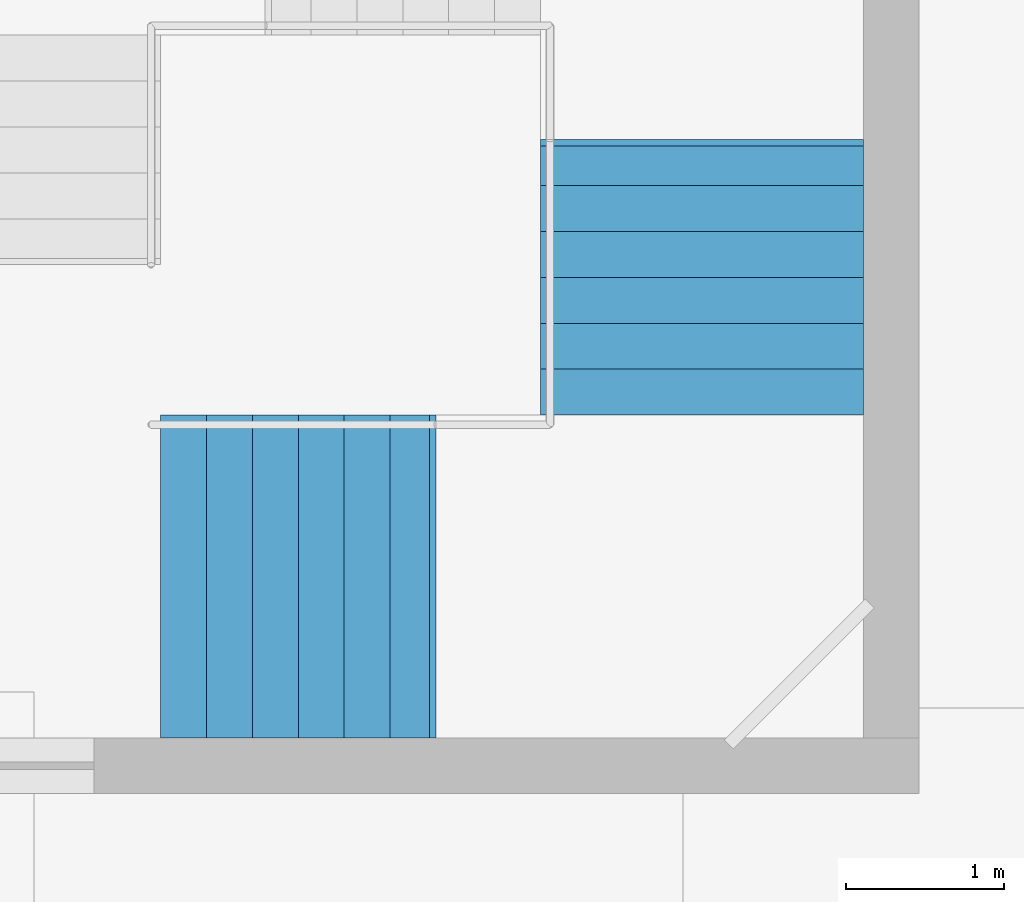
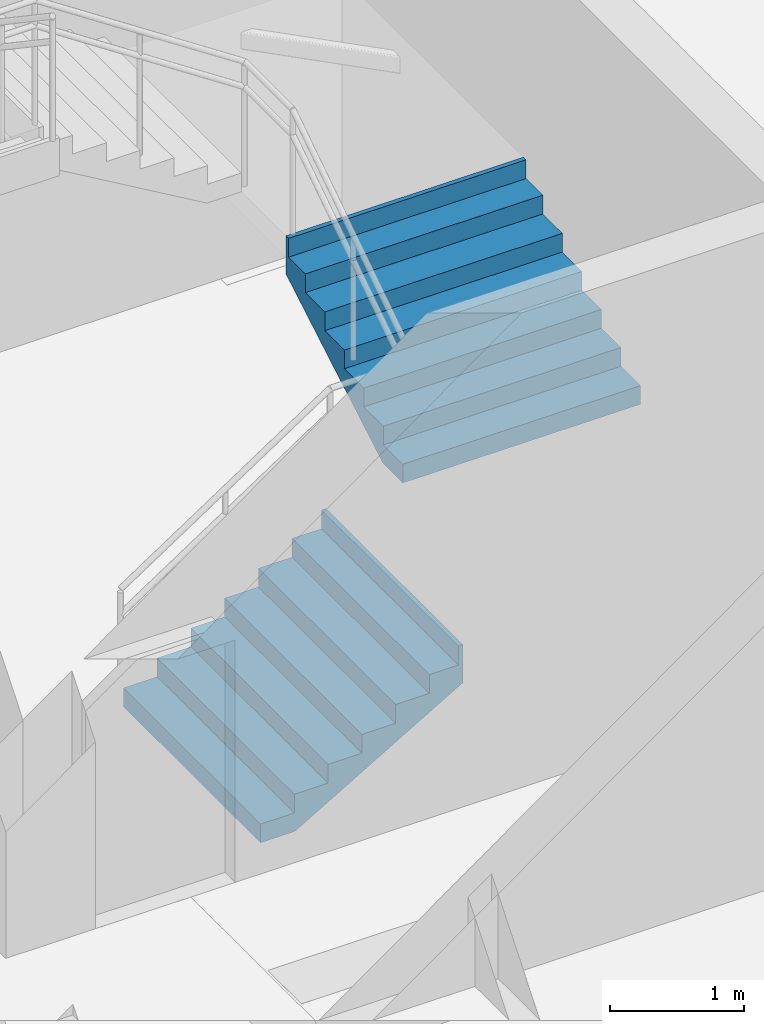
# One storey, part 25 of 30: 2 stair flights, 1 element without a shape of its own.
"""IFC4 building model written with IfcOpenShell, lengths in metres."""

from ifc_helpers import new_model, si_unit, direction, frame, origin, place, context, subcontext, project, spatial, triangles, material, type_object, element, aggregate, save


model = new_model("IFC4")

# Units and contexts
model_context = context("Model", 3, precision=1e-05, world=origin(), true_north=direction((0.0, 1.0)))
body_context = subcontext(model_context, "Body", "Model", "MODEL_VIEW")
ifc_project = project(units=[si_unit("LENGTHUNIT", "METRE"), si_unit("AREAUNIT", "SQUARE_METRE"), si_unit("VOLUMEUNIT", "CUBIC_METRE"), si_unit("PLANEANGLEUNIT", "RADIAN"), si_unit("MASSUNIT", "GRAM", prefix="KILO")], contexts=[model_context])

# Site, building, storey
site_placement = place(None, origin())
site = spatial("IfcSite", under=ifc_project, at=site_placement, CompositionType="ELEMENT")
building_placement = place(site_placement, origin())
building = spatial("IfcBuilding", under=site, at=building_placement, Name="Sillaruma Civic Art Gallery", CompositionType="ELEMENT")
storey_placement = place(building_placement, frame((0.0, 0.0, -9.179931640625)))
storey = spatial("IfcBuildingStorey", under=building, at=storey_placement, Name="B02", CompositionType="ELEMENT", Elevation=-9.179931640625)

# Stair, stair flights
ifc_material = material(Name="Concrete H35 (35 MPa)", Category="concrete")
stair_type = type_object("IfcStairType", Name="STR-4F-27", PredefinedType="USERDEFINED", material=ifc_material)
stair_placement = place(storey_placement, origin())
stair = element("IfcStair", 1, at=stair_placement, inside=storey, type_object=stair_type, Name="Protected Exit Stair ST-02 (West Bar North) (B02)", ObjectType="THREE_RETURN_STAIR", PredefinedType="USERDEFINED")
stair_flight_type = type_object("IfcStairFlightType", Name="SFL-STR-7", PredefinedType="STRAIGHT", material=ifc_material)
stair_flight_1_placement = place(storey_placement, frame((64.800048828125, 81.929931640625, 0.0), z_axis=(0.0, 0.0, 1.0), x_axis=(1.0, 0.0, 0.0)))
stair_flight_1 = element("IfcStairFlight", 2, at=stair_flight_1_placement, type_object=stair_flight_type, Name="ST-02 flight 1", NumberOfRisers=7, NumberOfTreads=6, PredefinedType="STRAIGHT", RiserHeight=0.17, TreadLength=0.29, context=body_context, shape_type="Tessellation", body=[
    triangles([(0.0, -1.02001953125, 0.0), (0.29, -1.02001953125, 0.0), (0.296404, -1.02001953125, 0.0), (0.58, -1.02001953125, 0.166246), (0.87, -1.02001953125, 0.336246), (1.16, -1.02001953125, 0.506246), (1.45, -1.02001953125, 0.676246), (1.69999, -1.02001953125, 0.822792), (1.73999, -1.02001953125, 0.84624), (1.73999, -1.02001953125, 1.19), (1.69999, -1.02001953125, 1.19), (1.69999, -1.02001953125, 1.02), (1.45, -1.02001953125, 1.02), (1.45, -1.02001953125, 0.85), (1.16, -1.02001953125, 0.85), (1.16, -1.02001953125, 0.68), (0.87, -1.02001953125, 0.68), (0.87, -1.02001953125, 0.51), (0.58, -1.02001953125, 0.51), (0.58, -1.02001953125, 0.34), (0.296404, -1.02001953125, 0.34), (0.29, -1.02001953125, 0.34), (0.29, -1.02001953125, 0.17), (0.0, -1.02001953125, 0.17), (0.0, -0.05, 0.0), (0.29, -0.05, 0.0), (0.296404, -0.05, 0.0), (0.58, -0.05, 0.166246), (0.87, -0.05, 0.336246), (1.16, -0.05, 0.506246), (1.45, -0.05, 0.676246), (1.69999, -0.05, 0.822792), (1.73999, -0.05, 0.84624), (1.73999, -0.05, 1.19), (1.69999, -0.05, 1.19), (1.69999, -0.05, 1.02), (1.45, -0.05, 1.02), (1.45, -0.05, 0.85), (1.16, -0.05, 0.85), (1.16, -0.05, 0.68), (0.87, -0.05, 0.68), (0.87, -0.05, 0.51), (0.58, -0.05, 0.51), (0.58, -0.05, 0.34), (0.296404, -0.05, 0.34), (0.29, -0.05, 0.34), (0.29, -0.05, 0.17), (0.0, -0.05, 0.17), (0.0, -0.0375, 0.0), (0.29, -0.0375, 0.0), (0.296404, -0.0375, 0.0), (0.58, -0.0375, 0.166246), (0.87, -0.0375, 0.336246), (1.16, -0.0375, 0.506246), (1.45, -0.0375, 0.676246), (1.69999, -0.0375, 0.822792), (1.73999, -0.0375, 0.84624), (1.73999, -0.0375, 1.19), (1.69999, -0.0375, 1.19), (1.69999, -0.0375, 1.02), (1.45, -0.0375, 1.02), (1.45, -0.0375, 0.85), (1.16, -0.0375, 0.85), (1.16, -0.0375, 0.68), (0.87, -0.0375, 0.68), (0.87, -0.0375, 0.51), (0.58, -0.0375, 0.51), (0.58, -0.0375, 0.34), (0.296404, -0.0375, 0.34), (0.29, -0.0375, 0.34), (0.29, -0.0375, 0.17), (0.0, -0.0375, 0.17), (0.0, -0.025, 0.0), (0.29, -0.025, 0.0), (0.296404, -0.025, 0.0), (0.58, -0.025, 0.166246), (0.87, -0.025, 0.336246), (1.16, -0.025, 0.506246), (1.45, -0.025, 0.676246), (1.69999, -0.025, 0.822792), (1.73999, -0.025, 0.84624), (1.73999, -0.025, 1.19), (1.69999, -0.025, 1.19), (1.69999, -0.025, 1.02), (1.45, -0.025, 1.02), (1.45, -0.025, 0.85), (1.16, -0.025, 0.85), (1.16, -0.025, 0.68), (0.87, -0.025, 0.68), (0.87, -0.025, 0.51), (0.58, -0.025, 0.51), (0.58, -0.025, 0.34), (0.296404, -0.025, 0.34), (0.29, -0.025, 0.34), (0.29, -0.025, 0.17), (0.0, -0.025, 0.17), (0.0, -0.0125, 0.0), (0.29, -0.0125, 0.0), (0.296404, -0.0125, 0.0), (0.58, -0.0125, 0.166246), (0.87, -0.0125, 0.336246), (1.16, -0.0125, 0.506246), (1.45, -0.0125, 0.676246), (1.69999, -0.0125, 0.822792), (1.73999, -0.0125, 0.84624), (1.73999, -0.0125, 1.19), (1.69999, -0.0125, 1.19), (1.69999, -0.0125, 1.02), (1.45, -0.0125, 1.02), (1.45, -0.0125, 0.85), (1.16, -0.0125, 0.85), (1.16, -0.0125, 0.68), (0.87, -0.0125, 0.68), (0.87, -0.0125, 0.51), (0.58, -0.0125, 0.51), (0.58, -0.0125, 0.34), (0.296404, -0.0125, 0.34), (0.29, -0.0125, 0.34), (0.29, -0.0125, 0.17), (0.0, -0.0125, 0.17), (0.0, 0.0, 0.0), (0.29, 0.0, 0.0), (0.296404, 0.0, 0.0), (0.58, 0.0, 0.166246), (0.87, 0.0, 0.336246), (1.16, 0.0, 0.506246), (1.45, 0.0, 0.676246), (1.69999, 0.0, 0.822792), (1.73999, 0.0, 0.84624), (1.73999, 0.0, 1.19), (1.69999, 0.0, 1.19), (1.69999, 0.0, 1.02), (1.45, 0.0, 1.02), (1.45, 0.0, 0.85), (1.16, 0.0, 0.85), (1.16, 0.0, 0.68), (0.87, 0.0, 0.68), (0.87, 0.0, 0.51), (0.58, 0.0, 0.51), (0.58, 0.0, 0.34), (0.296404, 0.0, 0.34), (0.29, 0.0, 0.34), (0.29, 0.0, 0.17), (0.0, 0.0, 0.17), (0.0, 0.0125, 0.0), (0.29, 0.0125, 0.0), (0.296404, 0.0125, 0.0), (0.58, 0.0125, 0.166246), (0.87, 0.0125, 0.336246), (1.16, 0.0125, 0.506246), (1.45, 0.0125, 0.676246), (1.69999, 0.0125, 0.822792), (1.73999, 0.0125, 0.84624), (1.73999, 0.0125, 1.19), (1.69999, 0.0125, 1.19), (1.69999, 0.0125, 1.02), (1.45, 0.0125, 1.02), (1.45, 0.0125, 0.85), (1.16, 0.0125, 0.85), (1.16, 0.0125, 0.68), (0.87, 0.0125, 0.68), (0.87, 0.0125, 0.51), (0.58, 0.0125, 0.51), (0.58, 0.0125, 0.34), (0.296404, 0.0125, 0.34), (0.29, 0.0125, 0.34), (0.29, 0.0125, 0.17), (0.0, 0.0125, 0.17), (0.0, 0.025, 0.0), (0.29, 0.025, 0.0), (0.296404, 0.025, 0.0), (0.58, 0.025, 0.166246), (0.87, 0.025, 0.336246), (1.16, 0.025, 0.506246), (1.45, 0.025, 0.676246), (1.69999, 0.025, 0.822792), (1.73999, 0.025, 0.84624), (1.73999, 0.025, 1.19), (1.69999, 0.025, 1.19), (1.69999, 0.025, 1.02), (1.45, 0.025, 1.02), (1.45, 0.025, 0.85), (1.16, 0.025, 0.85), (1.16, 0.025, 0.68), (0.87, 0.025, 0.68), (0.87, 0.025, 0.51), (0.58, 0.025, 0.51), (0.58, 0.025, 0.34), (0.296404, 0.025, 0.34), (0.29, 0.025, 0.34), (0.29, 0.025, 0.17), (0.0, 0.025, 0.17), (0.0, 0.0375, 0.0), (0.29, 0.0375, 0.0), (0.296404, 0.0375, 0.0), (0.58, 0.0375, 0.166246), (0.87, 0.0375, 0.336246), (1.16, 0.0375, 0.506246), (1.45, 0.0375, 0.676246), (1.69999, 0.0375, 0.822792), (1.73999, 0.0375, 0.84624), (1.73999, 0.0375, 1.19), (1.69999, 0.0375, 1.19), (1.69999, 0.0375, 1.02), (1.45, 0.0375, 1.02), (1.45, 0.0375, 0.85), (1.16, 0.0375, 0.85), (1.16, 0.0375, 0.68), (0.87, 0.0375, 0.68), (0.87, 0.0375, 0.51), (0.58, 0.0375, 0.51), (0.58, 0.0375, 0.34), (0.296404, 0.0375, 0.34), (0.29, 0.0375, 0.34), (0.29, 0.0375, 0.17), (0.0, 0.0375, 0.17), (0.0, 0.05, 0.0), (0.29, 0.05, 0.0), (0.296404, 0.05, 0.0), (0.58, 0.05, 0.166246), (0.87, 0.05, 0.336246), (1.16, 0.05, 0.506246), (1.45, 0.05, 0.676246), (1.69999, 0.05, 0.822792), (1.73999, 0.05, 0.84624), (1.73999, 0.05, 1.19), (1.69999, 0.05, 1.19), (1.69999, 0.05, 1.02), (1.45, 0.05, 1.02), (1.45, 0.05, 0.85), (1.16, 0.05, 0.85), (1.16, 0.05, 0.68), (0.87, 0.05, 0.68), (0.87, 0.05, 0.51), (0.58, 0.05, 0.51), (0.58, 0.05, 0.34), (0.296404, 0.05, 0.34), (0.29, 0.05, 0.34), (0.29, 0.05, 0.17), (0.0, 0.05, 0.17), (0.0, 1.02001953125, 0.0), (0.29, 1.02001953125, 0.0), (0.296404, 1.02001953125, 0.0), (0.58, 1.02001953125, 0.166246), (0.87, 1.02001953125, 0.336246), (1.16, 1.02001953125, 0.506246), (1.45, 1.02001953125, 0.676246), (1.69999, 1.02001953125, 0.822792), (1.73999, 1.02001953125, 0.84624), (1.73999, 1.02001953125, 1.19), (1.69999, 1.02001953125, 1.19), (1.69999, 1.02001953125, 1.02), (1.45, 1.02001953125, 1.02), (1.45, 1.02001953125, 0.85), (1.16, 1.02001953125, 0.85), (1.16, 1.02001953125, 0.68), (0.87, 1.02001953125, 0.68), (0.87, 1.02001953125, 0.51), (0.58, 1.02001953125, 0.51), (0.58, 1.02001953125, 0.34), (0.296404, 1.02001953125, 0.34), (0.29, 1.02001953125, 0.34), (0.29, 1.02001953125, 0.17), (0.0, 1.02001953125, 0.17)], [[1, 2, 23], [1, 23, 24], [2, 3, 21], [2, 21, 23], [23, 21, 22], [3, 4, 20], [3, 20, 21], [4, 5, 18], [4, 18, 20], [20, 18, 19], [5, 6, 16], [5, 16, 18], [18, 16, 17], [6, 7, 14], [6, 14, 16], [16, 14, 15], [7, 8, 12], [7, 12, 14], [14, 12, 13], [8, 9, 10], [8, 10, 12], [12, 10, 11], [263, 242, 241], [264, 263, 241], [261, 243, 242], [263, 261, 242], [262, 261, 263], [260, 244, 243], [261, 260, 243], [258, 245, 244], [260, 258, 244], [259, 258, 260], [256, 246, 245], [258, 256, 245], [257, 256, 258], [254, 247, 246], [256, 254, 246], [255, 254, 256], [252, 248, 247], [254, 252, 247], [253, 252, 254], [250, 249, 248], [252, 250, 248], [251, 250, 252], [2, 1, 25], [2, 25, 26], [3, 2, 26], [3, 26, 27], [4, 3, 27], [4, 27, 28], [5, 4, 28], [5, 28, 29], [6, 5, 29], [6, 29, 30], [7, 6, 30], [7, 30, 31], [8, 7, 31], [8, 31, 32], [9, 8, 32], [9, 32, 33], [10, 9, 33], [10, 33, 34], [11, 10, 34], [11, 34, 35], [12, 11, 35], [12, 35, 36], [13, 12, 36], [13, 36, 37], [14, 13, 37], [14, 37, 38], [15, 14, 38], [15, 38, 39], [16, 15, 39], [16, 39, 40], [17, 16, 40], [17, 40, 41], [18, 17, 41], [18, 41, 42], [19, 18, 42], [19, 42, 43], [20, 19, 43], [20, 43, 44], [21, 20, 44], [21, 44, 45], [22, 21, 45], [22, 45, 46], [23, 22, 46], [23, 46, 47], [24, 23, 47], [24, 47, 48], [1, 24, 48], [1, 48, 25], [26, 25, 49], [26, 49, 50], [27, 26, 50], [27, 50, 51], [28, 27, 51], [28, 51, 52], [29, 28, 52], [29, 52, 53], [30, 29, 53], [30, 53, 54], [31, 30, 54], [31, 54, 55], [32, 31, 55], [32, 55, 56], [33, 32, 56], [33, 56, 57], [34, 33, 57], [34, 57, 58], [35, 34, 58], [35, 58, 59], [36, 35, 59], [36, 59, 60], [37, 36, 60], [37, 60, 61], [38, 37, 61], [38, 61, 62], [39, 38, 62], [39, 62, 63], [40, 39, 63], [40, 63, 64], [41, 40, 64], [41, 64, 65], [42, 41, 65], [42, 65, 66], [43, 42, 66], [43, 66, 67], [44, 43, 67], [44, 67, 68], [45, 44, 68], [45, 68, 69], [46, 45, 69], [46, 69, 70], [47, 46, 70], [47, 70, 71], [48, 47, 71], [48, 71, 72], [25, 48, 72], [25, 72, 49], [50, 49, 73], [50, 73, 74], [51, 50, 74], [51, 74, 75], [52, 51, 75], [52, 75, 76], [53, 52, 76], [53, 76, 77], [54, 53, 77], [54, 77, 78], [55, 54, 78], [55, 78, 79], [56, 55, 79], [56, 79, 80], [57, 56, 80], [57, 80, 81], [58, 57, 81], [58, 81, 82], [59, 58, 82], [59, 82, 83], [60, 59, 83], [60, 83, 84], [61, 60, 84], [61, 84, 85], [62, 61, 85], [62, 85, 86], [63, 62, 86], [63, 86, 87], [64, 63, 87], [64, 87, 88], [65, 64, 88], [65, 88, 89], [66, 65, 89], [66, 89, 90], [67, 66, 90], [67, 90, 91], [68, 67, 91], [68, 91, 92], [69, 68, 92], [69, 92, 93], [70, 69, 93], [70, 93, 94], [71, 70, 94], [71, 94, 95], [72, 71, 95], [72, 95, 96], [49, 72, 96], [49, 96, 73], [74, 73, 97], [74, 97, 98], [75, 74, 98], [75, 98, 99], [76, 75, 99], [76, 99, 100], [77, 76, 100], [77, 100, 101], [78, 77, 101], [78, 101, 102], [79, 78, 102], [79, 102, 103], [80, 79, 103], [80, 103, 104], [81, 80, 104], [81, 104, 105], [82, 81, 105], [82, 105, 106], [83, 82, 106], [83, 106, 107], [84, 83, 107], [84, 107, 108], [85, 84, 108], [85, 108, 109], [86, 85, 109], [86, 109, 110], [87, 86, 110], [87, 110, 111], [88, 87, 111], [88, 111, 112], [89, 88, 112], [89, 112, 113], [90, 89, 113], [90, 113, 114], [91, 90, 114], [91, 114, 115], [92, 91, 115], [92, 115, 116], [93, 92, 116], [93, 116, 117], [94, 93, 117], [94, 117, 118], [95, 94, 118], [95, 118, 119], [96, 95, 119], [96, 119, 120], [73, 96, 120], [73, 120, 97], [98, 97, 121], [98, 121, 122], [99, 98, 122], [99, 122, 123], [100, 99, 123], [100, 123, 124], [101, 100, 124], [101, 124, 125], [102, 101, 125], [102, 125, 126], [103, 102, 126], [103, 126, 127], [104, 103, 127], [104, 127, 128], [105, 104, 128], [105, 128, 129], [106, 105, 129], [106, 129, 130], [107, 106, 130], [107, 130, 131], [108, 107, 131], [108, 131, 132], [109, 108, 132], [109, 132, 133], [110, 109, 133], [110, 133, 134], [111, 110, 134], [111, 134, 135], [112, 111, 135], [112, 135, 136], [113, 112, 136], [113, 136, 137], [114, 113, 137], [114, 137, 138], [115, 114, 138], [115, 138, 139], [116, 115, 139], [116, 139, 140], [117, 116, 140], [117, 140, 141], [118, 117, 141], [118, 141, 142], [119, 118, 142], [119, 142, 143], [120, 119, 143], [120, 143, 144], [97, 120, 144], [97, 144, 121], [122, 121, 145], [122, 145, 146], [123, 122, 146], [123, 146, 147], [124, 123, 147], [124, 147, 148], [125, 124, 148], [125, 148, 149], [126, 125, 149], [126, 149, 150], [127, 126, 150], [127, 150, 151], [128, 127, 151], [128, 151, 152], [129, 128, 152], [129, 152, 153], [130, 129, 153], [130, 153, 154], [131, 130, 154], [131, 154, 155], [132, 131, 155], [132, 155, 156], [133, 132, 156], [133, 156, 157], [134, 133, 157], [134, 157, 158], [135, 134, 158], [135, 158, 159], [136, 135, 159], [136, 159, 160], [137, 136, 160], [137, 160, 161], [138, 137, 161], [138, 161, 162], [139, 138, 162], [139, 162, 163], [140, 139, 163], [140, 163, 164], [141, 140, 164], [141, 164, 165], [142, 141, 165], [142, 165, 166], [143, 142, 166], [143, 166, 167], [144, 143, 167], [144, 167, 168], [121, 144, 168], [121, 168, 145], [146, 145, 169], [146, 169, 170], [147, 146, 170], [147, 170, 171], [148, 147, 171], [148, 171, 172], [149, 148, 172], [149, 172, 173], [150, 149, 173], [150, 173, 174], [151, 150, 174], [151, 174, 175], [152, 151, 175], [152, 175, 176], [153, 152, 176], [153, 176, 177], [154, 153, 177], [154, 177, 178], [155, 154, 178], [155, 178, 179], [156, 155, 179], [156, 179, 180], [157, 156, 180], [157, 180, 181], [158, 157, 181], [158, 181, 182], [159, 158, 182], [159, 182, 183], [160, 159, 183], [160, 183, 184], [161, 160, 184], [161, 184, 185], [162, 161, 185], [162, 185, 186], [163, 162, 186], [163, 186, 187], [164, 163, 187], [164, 187, 188], [165, 164, 188], [165, 188, 189], [166, 165, 189], [166, 189, 190], [167, 166, 190], [167, 190, 191], [168, 167, 191], [168, 191, 192], [145, 168, 192], [145, 192, 169], [170, 169, 193], [170, 193, 194], [171, 170, 194], [171, 194, 195], [172, 171, 195], [172, 195, 196], [173, 172, 196], [173, 196, 197], [174, 173, 197], [174, 197, 198], [175, 174, 198], [175, 198, 199], [176, 175, 199], [176, 199, 200], [177, 176, 200], [177, 200, 201], [178, 177, 201], [178, 201, 202], [179, 178, 202], [179, 202, 203], [180, 179, 203], [180, 203, 204], [181, 180, 204], [181, 204, 205], [182, 181, 205], [182, 205, 206], [183, 182, 206], [183, 206, 207], [184, 183, 207], [184, 207, 208], [185, 184, 208], [185, 208, 209], [186, 185, 209], [186, 209, 210], [187, 186, 210], [187, 210, 211], [188, 187, 211], [188, 211, 212], [189, 188, 212], [189, 212, 213], [190, 189, 213], [190, 213, 214], [191, 190, 214], [191, 214, 215], [192, 191, 215], [192, 215, 216], [169, 192, 216], [169, 216, 193], [194, 193, 217], [194, 217, 218], [195, 194, 218], [195, 218, 219], [196, 195, 219], [196, 219, 220], [197, 196, 220], [197, 220, 221], [198, 197, 221], [198, 221, 222], [199, 198, 222], [199, 222, 223], [200, 199, 223], [200, 223, 224], [201, 200, 224], [201, 224, 225], [202, 201, 225], [202, 225, 226], [203, 202, 226], [203, 226, 227], [204, 203, 227], [204, 227, 228], [205, 204, 228], [205, 228, 229], [206, 205, 229], [206, 229, 230], [207, 206, 230], [207, 230, 231], [208, 207, 231], [208, 231, 232], [209, 208, 232], [209, 232, 233], [210, 209, 233], [210, 233, 234], [211, 210, 234], [211, 234, 235], [212, 211, 235], [212, 235, 236], [213, 212, 236], [213, 236, 237], [214, 213, 237], [214, 237, 238], [215, 214, 238], [215, 238, 239], [216, 215, 239], [216, 239, 240], [193, 216, 240], [193, 240, 217], [218, 217, 241], [218, 241, 242], [219, 218, 242], [219, 242, 243], [220, 219, 243], [220, 243, 244], [221, 220, 244], [221, 244, 245], [222, 221, 245], [222, 245, 246], [223, 222, 246], [223, 246, 247], [224, 223, 247], [224, 247, 248], [225, 224, 248], [225, 248, 249], [226, 225, 249], [226, 249, 250], [227, 226, 250], [227, 250, 251], [228, 227, 251], [228, 251, 252], [229, 228, 252], [229, 252, 253], [230, 229, 253], [230, 253, 254], [231, 230, 254], [231, 254, 255], [232, 231, 255], [232, 255, 256], [233, 232, 256], [233, 256, 257], [234, 233, 257], [234, 257, 258], [235, 234, 258], [235, 258, 259], [236, 235, 259], [236, 259, 260], [237, 236, 260], [237, 260, 261], [238, 237, 261], [238, 261, 262], [239, 238, 262], [239, 262, 263], [240, 239, 263], [240, 263, 264], [217, 240, 264], [217, 264, 241]], closed=True),
])
stair_flight_2_placement = place(storey_placement, frame((68.219970703125, 82.949951171875, 1.18994140625), z_axis=(0.0, 0.0, 1.0), x_axis=(0.0, 1.0, 0.0)))
stair_flight_2 = element("IfcStairFlight", 3, at=stair_flight_2_placement, type_object=stair_flight_type, Name="ST-02 flight 2", NumberOfRisers=7, NumberOfTreads=6, PredefinedType="STRAIGHT", RiserHeight=0.17, TreadLength=0.29, context=body_context, shape_type="Tessellation", body=[
    triangles([(0.0, -1.02001953125, 0.0), (0.29, -1.02001953125, 0.0), (0.296404, -1.02001953125, 0.0), (0.58, -1.02001953125, 0.166246), (0.87, -1.02001953125, 0.336246), (1.16, -1.02001953125, 0.506246), (1.45, -1.02001953125, 0.676246), (1.69999, -1.02001953125, 0.822792), (1.73999, -1.02001953125, 0.84624), (1.73999, -1.02001953125, 1.19), (1.69999, -1.02001953125, 1.19), (1.69999, -1.02001953125, 1.02), (1.45, -1.02001953125, 1.02), (1.45, -1.02001953125, 0.85), (1.16, -1.02001953125, 0.85), (1.16, -1.02001953125, 0.68), (0.87, -1.02001953125, 0.68), (0.87, -1.02001953125, 0.51), (0.58, -1.02001953125, 0.51), (0.58, -1.02001953125, 0.34), (0.296404, -1.02001953125, 0.34), (0.29, -1.02001953125, 0.34), (0.29, -1.02001953125, 0.17), (0.0, -1.02001953125, 0.17), (0.0, -0.05, 0.0), (0.29, -0.05, 0.0), (0.296404, -0.05, 0.0), (0.58, -0.05, 0.166246), (0.87, -0.05, 0.336246), (1.16, -0.05, 0.506246), (1.45, -0.05, 0.676246), (1.69999, -0.05, 0.822792), (1.73999, -0.05, 0.84624), (1.73999, -0.05, 1.19), (1.69999, -0.05, 1.19), (1.69999, -0.05, 1.02), (1.45, -0.05, 1.02), (1.45, -0.05, 0.85), (1.16, -0.05, 0.85), (1.16, -0.05, 0.68), (0.87, -0.05, 0.68), (0.87, -0.05, 0.51), (0.58, -0.05, 0.51), (0.58, -0.05, 0.34), (0.296404, -0.05, 0.34), (0.29, -0.05, 0.34), (0.29, -0.05, 0.17), (0.0, -0.05, 0.17), (0.0, -0.0375, 0.0), (0.29, -0.0375, 0.0), (0.296404, -0.0375, 0.0), (0.58, -0.0375, 0.166246), (0.87, -0.0375, 0.336246), (1.16, -0.0375, 0.506246), (1.45, -0.0375, 0.676246), (1.69999, -0.0375, 0.822792), (1.73999, -0.0375, 0.84624), (1.73999, -0.0375, 1.19), (1.69999, -0.0375, 1.19), (1.69999, -0.0375, 1.02), (1.45, -0.0375, 1.02), (1.45, -0.0375, 0.85), (1.16, -0.0375, 0.85), (1.16, -0.0375, 0.68), (0.87, -0.0375, 0.68), (0.87, -0.0375, 0.51), (0.58, -0.0375, 0.51), (0.58, -0.0375, 0.34), (0.296404, -0.0375, 0.34), (0.29, -0.0375, 0.34), (0.29, -0.0375, 0.17), (0.0, -0.0375, 0.17), (0.0, -0.025, 0.0), (0.29, -0.025, 0.0), (0.296404, -0.025, 0.0), (0.58, -0.025, 0.166246), (0.87, -0.025, 0.336246), (1.16, -0.025, 0.506246), (1.45, -0.025, 0.676246), (1.69999, -0.025, 0.822792), (1.73999, -0.025, 0.84624), (1.73999, -0.025, 1.19), (1.69999, -0.025, 1.19), (1.69999, -0.025, 1.02), (1.45, -0.025, 1.02), (1.45, -0.025, 0.85), (1.16, -0.025, 0.85), (1.16, -0.025, 0.68), (0.87, -0.025, 0.68), (0.87, -0.025, 0.51), (0.58, -0.025, 0.51), (0.58, -0.025, 0.34), (0.296404, -0.025, 0.34), (0.29, -0.025, 0.34), (0.29, -0.025, 0.17), (0.0, -0.025, 0.17), (0.0, -0.0125, 0.0), (0.29, -0.0125, 0.0), (0.296404, -0.0125, 0.0), (0.58, -0.0125, 0.166246), (0.87, -0.0125, 0.336246), (1.16, -0.0125, 0.506246), (1.45, -0.0125, 0.676246), (1.69999, -0.0125, 0.822792), (1.73999, -0.0125, 0.84624), (1.73999, -0.0125, 1.19), (1.69999, -0.0125, 1.19), (1.69999, -0.0125, 1.02), (1.45, -0.0125, 1.02), (1.45, -0.0125, 0.85), (1.16, -0.0125, 0.85), (1.16, -0.0125, 0.68), (0.87, -0.0125, 0.68), (0.87, -0.0125, 0.51), (0.58, -0.0125, 0.51), (0.58, -0.0125, 0.34), (0.296404, -0.0125, 0.34), (0.29, -0.0125, 0.34), (0.29, -0.0125, 0.17), (0.0, -0.0125, 0.17), (0.0, 0.0, 0.0), (0.29, 0.0, 0.0), (0.296404, 0.0, 0.0), (0.58, 0.0, 0.166246), (0.87, 0.0, 0.336246), (1.16, 0.0, 0.506246), (1.45, 0.0, 0.676246), (1.69999, 0.0, 0.822792), (1.73999, 0.0, 0.84624), (1.73999, 0.0, 1.19), (1.69999, 0.0, 1.19), (1.69999, 0.0, 1.02), (1.45, 0.0, 1.02), (1.45, 0.0, 0.85), (1.16, 0.0, 0.85), (1.16, 0.0, 0.68), (0.87, 0.0, 0.68), (0.87, 0.0, 0.51), (0.58, 0.0, 0.51), (0.58, 0.0, 0.34), (0.296404, 0.0, 0.34), (0.29, 0.0, 0.34), (0.29, 0.0, 0.17), (0.0, 0.0, 0.17), (0.0, 0.0125, 0.0), (0.29, 0.0125, 0.0), (0.296404, 0.0125, 0.0), (0.58, 0.0125, 0.166246), (0.87, 0.0125, 0.336246), (1.16, 0.0125, 0.506246), (1.45, 0.0125, 0.676246), (1.69999, 0.0125, 0.822792), (1.73999, 0.0125, 0.84624), (1.73999, 0.0125, 1.19), (1.69999, 0.0125, 1.19), (1.69999, 0.0125, 1.02), (1.45, 0.0125, 1.02), (1.45, 0.0125, 0.85), (1.16, 0.0125, 0.85), (1.16, 0.0125, 0.68), (0.87, 0.0125, 0.68), (0.87, 0.0125, 0.51), (0.58, 0.0125, 0.51), (0.58, 0.0125, 0.34), (0.296404, 0.0125, 0.34), (0.29, 0.0125, 0.34), (0.29, 0.0125, 0.17), (0.0, 0.0125, 0.17), (0.0, 0.025, 0.0), (0.29, 0.025, 0.0), (0.296404, 0.025, 0.0), (0.58, 0.025, 0.166246), (0.87, 0.025, 0.336246), (1.16, 0.025, 0.506246), (1.45, 0.025, 0.676246), (1.69999, 0.025, 0.822792), (1.73999, 0.025, 0.84624), (1.73999, 0.025, 1.19), (1.69999, 0.025, 1.19), (1.69999, 0.025, 1.02), (1.45, 0.025, 1.02), (1.45, 0.025, 0.85), (1.16, 0.025, 0.85), (1.16, 0.025, 0.68), (0.87, 0.025, 0.68), (0.87, 0.025, 0.51), (0.58, 0.025, 0.51), (0.58, 0.025, 0.34), (0.296404, 0.025, 0.34), (0.29, 0.025, 0.34), (0.29, 0.025, 0.17), (0.0, 0.025, 0.17), (0.0, 0.0375, 0.0), (0.29, 0.0375, 0.0), (0.296404, 0.0375, 0.0), (0.58, 0.0375, 0.166246), (0.87, 0.0375, 0.336246), (1.16, 0.0375, 0.506246), (1.45, 0.0375, 0.676246), (1.69999, 0.0375, 0.822792), (1.73999, 0.0375, 0.84624), (1.73999, 0.0375, 1.19), (1.69999, 0.0375, 1.19), (1.69999, 0.0375, 1.02), (1.45, 0.0375, 1.02), (1.45, 0.0375, 0.85), (1.16, 0.0375, 0.85), (1.16, 0.0375, 0.68), (0.87, 0.0375, 0.68), (0.87, 0.0375, 0.51), (0.58, 0.0375, 0.51), (0.58, 0.0375, 0.34), (0.296404, 0.0375, 0.34), (0.29, 0.0375, 0.34), (0.29, 0.0375, 0.17), (0.0, 0.0375, 0.17), (0.0, 0.05, 0.0), (0.29, 0.05, 0.0), (0.296404, 0.05, 0.0), (0.58, 0.05, 0.166246), (0.87, 0.05, 0.336246), (1.16, 0.05, 0.506246), (1.45, 0.05, 0.676246), (1.69999, 0.05, 0.822792), (1.73999, 0.05, 0.84624), (1.73999, 0.05, 1.19), (1.69999, 0.05, 1.19), (1.69999, 0.05, 1.02), (1.45, 0.05, 1.02), (1.45, 0.05, 0.85), (1.16, 0.05, 0.85), (1.16, 0.05, 0.68), (0.87, 0.05, 0.68), (0.87, 0.05, 0.51), (0.58, 0.05, 0.51), (0.58, 0.05, 0.34), (0.296404, 0.05, 0.34), (0.29, 0.05, 0.34), (0.29, 0.05, 0.17), (0.0, 0.05, 0.17), (0.0, 1.02001953125, 0.0), (0.29, 1.02001953125, 0.0), (0.296404, 1.02001953125, 0.0), (0.58, 1.02001953125, 0.166246), (0.87, 1.02001953125, 0.336246), (1.16, 1.02001953125, 0.506246), (1.45, 1.02001953125, 0.676246), (1.69999, 1.02001953125, 0.822792), (1.73999, 1.02001953125, 0.84624), (1.73999, 1.02001953125, 1.19), (1.69999, 1.02001953125, 1.19), (1.69999, 1.02001953125, 1.02), (1.45, 1.02001953125, 1.02), (1.45, 1.02001953125, 0.85), (1.16, 1.02001953125, 0.85), (1.16, 1.02001953125, 0.68), (0.87, 1.02001953125, 0.68), (0.87, 1.02001953125, 0.51), (0.58, 1.02001953125, 0.51), (0.58, 1.02001953125, 0.34), (0.296404, 1.02001953125, 0.34), (0.29, 1.02001953125, 0.34), (0.29, 1.02001953125, 0.17), (0.0, 1.02001953125, 0.17)], [[1, 2, 23], [1, 23, 24], [2, 3, 21], [2, 21, 23], [23, 21, 22], [3, 4, 20], [3, 20, 21], [4, 5, 18], [4, 18, 20], [20, 18, 19], [5, 6, 16], [5, 16, 18], [18, 16, 17], [6, 7, 14], [6, 14, 16], [16, 14, 15], [7, 8, 12], [7, 12, 14], [14, 12, 13], [8, 9, 10], [8, 10, 12], [12, 10, 11], [263, 242, 241], [264, 263, 241], [261, 243, 242], [263, 261, 242], [262, 261, 263], [260, 244, 243], [261, 260, 243], [258, 245, 244], [260, 258, 244], [259, 258, 260], [256, 246, 245], [258, 256, 245], [257, 256, 258], [254, 247, 246], [256, 254, 246], [255, 254, 256], [252, 248, 247], [254, 252, 247], [253, 252, 254], [250, 249, 248], [252, 250, 248], [251, 250, 252], [2, 1, 25], [2, 25, 26], [3, 2, 26], [3, 26, 27], [4, 3, 27], [4, 27, 28], [5, 4, 28], [5, 28, 29], [6, 5, 29], [6, 29, 30], [7, 6, 30], [7, 30, 31], [8, 7, 31], [8, 31, 32], [9, 8, 32], [9, 32, 33], [10, 9, 33], [10, 33, 34], [11, 10, 34], [11, 34, 35], [12, 11, 35], [12, 35, 36], [13, 12, 36], [13, 36, 37], [14, 13, 37], [14, 37, 38], [15, 14, 38], [15, 38, 39], [16, 15, 39], [16, 39, 40], [17, 16, 40], [17, 40, 41], [18, 17, 41], [18, 41, 42], [19, 18, 42], [19, 42, 43], [20, 19, 43], [20, 43, 44], [21, 20, 44], [21, 44, 45], [22, 21, 45], [22, 45, 46], [23, 22, 46], [23, 46, 47], [24, 23, 47], [24, 47, 48], [1, 24, 48], [1, 48, 25], [26, 25, 49], [26, 49, 50], [27, 26, 50], [27, 50, 51], [28, 27, 51], [28, 51, 52], [29, 28, 52], [29, 52, 53], [30, 29, 53], [30, 53, 54], [31, 30, 54], [31, 54, 55], [32, 31, 55], [32, 55, 56], [33, 32, 56], [33, 56, 57], [34, 33, 57], [34, 57, 58], [35, 34, 58], [35, 58, 59], [36, 35, 59], [36, 59, 60], [37, 36, 60], [37, 60, 61], [38, 37, 61], [38, 61, 62], [39, 38, 62], [39, 62, 63], [40, 39, 63], [40, 63, 64], [41, 40, 64], [41, 64, 65], [42, 41, 65], [42, 65, 66], [43, 42, 66], [43, 66, 67], [44, 43, 67], [44, 67, 68], [45, 44, 68], [45, 68, 69], [46, 45, 69], [46, 69, 70], [47, 46, 70], [47, 70, 71], [48, 47, 71], [48, 71, 72], [25, 48, 72], [25, 72, 49], [50, 49, 73], [50, 73, 74], [51, 50, 74], [51, 74, 75], [52, 51, 75], [52, 75, 76], [53, 52, 76], [53, 76, 77], [54, 53, 77], [54, 77, 78], [55, 54, 78], [55, 78, 79], [56, 55, 79], [56, 79, 80], [57, 56, 80], [57, 80, 81], [58, 57, 81], [58, 81, 82], [59, 58, 82], [59, 82, 83], [60, 59, 83], [60, 83, 84], [61, 60, 84], [61, 84, 85], [62, 61, 85], [62, 85, 86], [63, 62, 86], [63, 86, 87], [64, 63, 87], [64, 87, 88], [65, 64, 88], [65, 88, 89], [66, 65, 89], [66, 89, 90], [67, 66, 90], [67, 90, 91], [68, 67, 91], [68, 91, 92], [69, 68, 92], [69, 92, 93], [70, 69, 93], [70, 93, 94], [71, 70, 94], [71, 94, 95], [72, 71, 95], [72, 95, 96], [49, 72, 96], [49, 96, 73], [74, 73, 97], [74, 97, 98], [75, 74, 98], [75, 98, 99], [76, 75, 99], [76, 99, 100], [77, 76, 100], [77, 100, 101], [78, 77, 101], [78, 101, 102], [79, 78, 102], [79, 102, 103], [80, 79, 103], [80, 103, 104], [81, 80, 104], [81, 104, 105], [82, 81, 105], [82, 105, 106], [83, 82, 106], [83, 106, 107], [84, 83, 107], [84, 107, 108], [85, 84, 108], [85, 108, 109], [86, 85, 109], [86, 109, 110], [87, 86, 110], [87, 110, 111], [88, 87, 111], [88, 111, 112], [89, 88, 112], [89, 112, 113], [90, 89, 113], [90, 113, 114], [91, 90, 114], [91, 114, 115], [92, 91, 115], [92, 115, 116], [93, 92, 116], [93, 116, 117], [94, 93, 117], [94, 117, 118], [95, 94, 118], [95, 118, 119], [96, 95, 119], [96, 119, 120], [73, 96, 120], [73, 120, 97], [98, 97, 121], [98, 121, 122], [99, 98, 122], [99, 122, 123], [100, 99, 123], [100, 123, 124], [101, 100, 124], [101, 124, 125], [102, 101, 125], [102, 125, 126], [103, 102, 126], [103, 126, 127], [104, 103, 127], [104, 127, 128], [105, 104, 128], [105, 128, 129], [106, 105, 129], [106, 129, 130], [107, 106, 130], [107, 130, 131], [108, 107, 131], [108, 131, 132], [109, 108, 132], [109, 132, 133], [110, 109, 133], [110, 133, 134], [111, 110, 134], [111, 134, 135], [112, 111, 135], [112, 135, 136], [113, 112, 136], [113, 136, 137], [114, 113, 137], [114, 137, 138], [115, 114, 138], [115, 138, 139], [116, 115, 139], [116, 139, 140], [117, 116, 140], [117, 140, 141], [118, 117, 141], [118, 141, 142], [119, 118, 142], [119, 142, 143], [120, 119, 143], [120, 143, 144], [97, 120, 144], [97, 144, 121], [122, 121, 145], [122, 145, 146], [123, 122, 146], [123, 146, 147], [124, 123, 147], [124, 147, 148], [125, 124, 148], [125, 148, 149], [126, 125, 149], [126, 149, 150], [127, 126, 150], [127, 150, 151], [128, 127, 151], [128, 151, 152], [129, 128, 152], [129, 152, 153], [130, 129, 153], [130, 153, 154], [131, 130, 154], [131, 154, 155], [132, 131, 155], [132, 155, 156], [133, 132, 156], [133, 156, 157], [134, 133, 157], [134, 157, 158], [135, 134, 158], [135, 158, 159], [136, 135, 159], [136, 159, 160], [137, 136, 160], [137, 160, 161], [138, 137, 161], [138, 161, 162], [139, 138, 162], [139, 162, 163], [140, 139, 163], [140, 163, 164], [141, 140, 164], [141, 164, 165], [142, 141, 165], [142, 165, 166], [143, 142, 166], [143, 166, 167], [144, 143, 167], [144, 167, 168], [121, 144, 168], [121, 168, 145], [146, 145, 169], [146, 169, 170], [147, 146, 170], [147, 170, 171], [148, 147, 171], [148, 171, 172], [149, 148, 172], [149, 172, 173], [150, 149, 173], [150, 173, 174], [151, 150, 174], [151, 174, 175], [152, 151, 175], [152, 175, 176], [153, 152, 176], [153, 176, 177], [154, 153, 177], [154, 177, 178], [155, 154, 178], [155, 178, 179], [156, 155, 179], [156, 179, 180], [157, 156, 180], [157, 180, 181], [158, 157, 181], [158, 181, 182], [159, 158, 182], [159, 182, 183], [160, 159, 183], [160, 183, 184], [161, 160, 184], [161, 184, 185], [162, 161, 185], [162, 185, 186], [163, 162, 186], [163, 186, 187], [164, 163, 187], [164, 187, 188], [165, 164, 188], [165, 188, 189], [166, 165, 189], [166, 189, 190], [167, 166, 190], [167, 190, 191], [168, 167, 191], [168, 191, 192], [145, 168, 192], [145, 192, 169], [170, 169, 193], [170, 193, 194], [171, 170, 194], [171, 194, 195], [172, 171, 195], [172, 195, 196], [173, 172, 196], [173, 196, 197], [174, 173, 197], [174, 197, 198], [175, 174, 198], [175, 198, 199], [176, 175, 199], [176, 199, 200], [177, 176, 200], [177, 200, 201], [178, 177, 201], [178, 201, 202], [179, 178, 202], [179, 202, 203], [180, 179, 203], [180, 203, 204], [181, 180, 204], [181, 204, 205], [182, 181, 205], [182, 205, 206], [183, 182, 206], [183, 206, 207], [184, 183, 207], [184, 207, 208], [185, 184, 208], [185, 208, 209], [186, 185, 209], [186, 209, 210], [187, 186, 210], [187, 210, 211], [188, 187, 211], [188, 211, 212], [189, 188, 212], [189, 212, 213], [190, 189, 213], [190, 213, 214], [191, 190, 214], [191, 214, 215], [192, 191, 215], [192, 215, 216], [169, 192, 216], [169, 216, 193], [194, 193, 217], [194, 217, 218], [195, 194, 218], [195, 218, 219], [196, 195, 219], [196, 219, 220], [197, 196, 220], [197, 220, 221], [198, 197, 221], [198, 221, 222], [199, 198, 222], [199, 222, 223], [200, 199, 223], [200, 223, 224], [201, 200, 224], [201, 224, 225], [202, 201, 225], [202, 225, 226], [203, 202, 226], [203, 226, 227], [204, 203, 227], [204, 227, 228], [205, 204, 228], [205, 228, 229], [206, 205, 229], [206, 229, 230], [207, 206, 230], [207, 230, 231], [208, 207, 231], [208, 231, 232], [209, 208, 232], [209, 232, 233], [210, 209, 233], [210, 233, 234], [211, 210, 234], [211, 234, 235], [212, 211, 235], [212, 235, 236], [213, 212, 236], [213, 236, 237], [214, 213, 237], [214, 237, 238], [215, 214, 238], [215, 238, 239], [216, 215, 239], [216, 239, 240], [193, 216, 240], [193, 240, 217], [218, 217, 241], [218, 241, 242], [219, 218, 242], [219, 242, 243], [220, 219, 243], [220, 243, 244], [221, 220, 244], [221, 244, 245], [222, 221, 245], [222, 245, 246], [223, 222, 246], [223, 246, 247], [224, 223, 247], [224, 247, 248], [225, 224, 248], [225, 248, 249], [226, 225, 249], [226, 249, 250], [227, 226, 250], [227, 250, 251], [228, 227, 251], [228, 251, 252], [229, 228, 252], [229, 252, 253], [230, 229, 253], [230, 253, 254], [231, 230, 254], [231, 254, 255], [232, 231, 255], [232, 255, 256], [233, 232, 256], [233, 256, 257], [234, 233, 257], [234, 257, 258], [235, 234, 258], [235, 258, 259], [236, 235, 259], [236, 259, 260], [237, 236, 260], [237, 260, 261], [238, 237, 261], [238, 261, 262], [239, 238, 262], [239, 262, 263], [240, 239, 263], [240, 263, 264], [217, 240, 264], [217, 264, 241]], closed=True),
])
aggregate(stair, [stair_flight_1, stair_flight_2])

save(model, "model.ifc")
